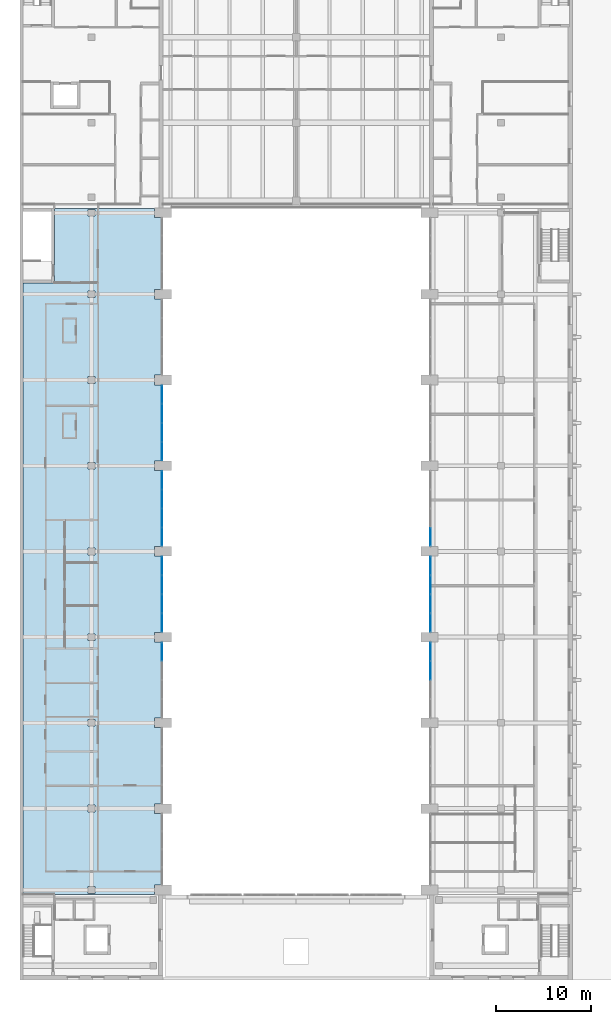
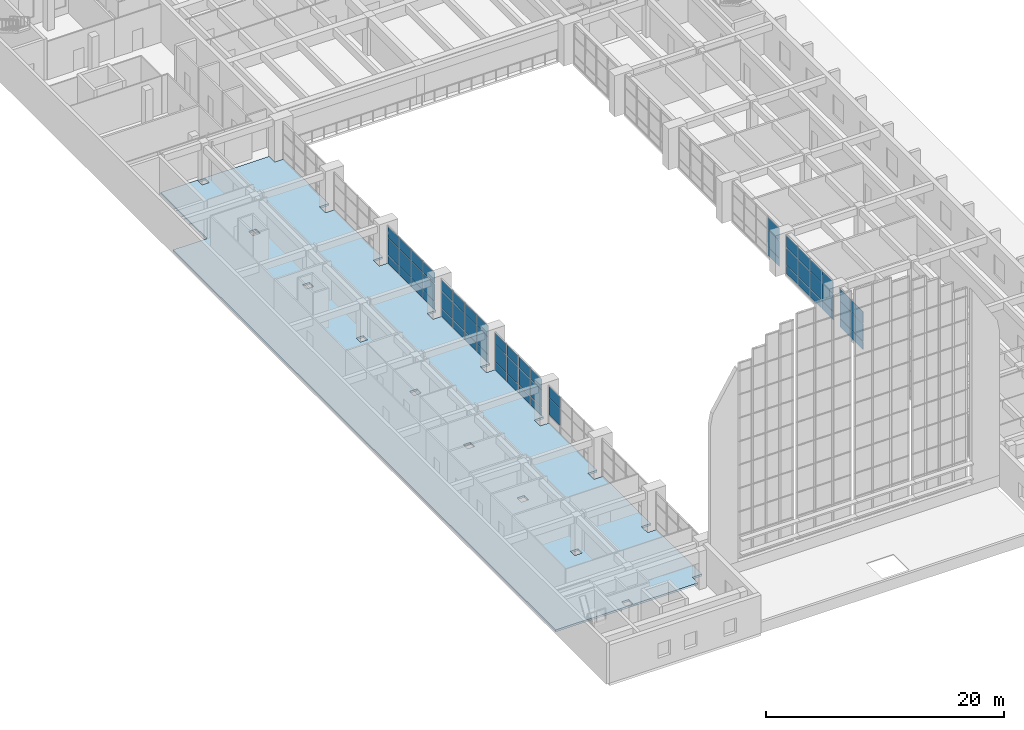
# One storey, part 21 of 45: 59 plates, 1 slab, 7 elements without a shape of their own.
"""IFC4 building model written with IfcOpenShell, lengths in metres."""

from ifc_helpers import new_model, si_unit, direction, frame, origin, origin_2d, place, context, subcontext, project, spatial, polyline, rectangle, outline, extrude, material, layer, layer_set, type_object, element, aggregate, save


model = new_model("IFC4")

# Units and contexts
model_context = context("Model", 3, precision=1e-05, world=origin(), true_north=direction((0.0, 1.0)))
body_context = subcontext(model_context, "Body", "Model", "MODEL_VIEW")
ifc_project = project(units=[si_unit("LENGTHUNIT", "METRE"), si_unit("AREAUNIT", "SQUARE_METRE"), si_unit("VOLUMEUNIT", "CUBIC_METRE"), si_unit("PLANEANGLEUNIT", "RADIAN"), si_unit("MASSUNIT", "GRAM", prefix="KILO")], contexts=[model_context])

# Site, building, storey
site_placement = place(None, origin())
site = spatial("IfcSite", under=ifc_project, at=site_placement, CompositionType="ELEMENT")
building_placement = place(site_placement, origin())
building = spatial("IfcBuilding", under=site, at=building_placement, Name="Elmora Arch Market Hall", CompositionType="ELEMENT")
storey_placement = place(building_placement, frame((0.0, 0.0, 6.0)))
storey = spatial("IfcBuildingStorey", under=building, at=storey_placement, Name="L01", CompositionType="ELEMENT", Elevation=6.0)

# Slab
ifc_material_1 = material(Name="Concrete C32/40", Category="concrete")
ifc_layer_1 = layer(ifc_material_1, 0.199951171875)
ifc_layer_set_1 = layer_set([ifc_layer_1], Name="Concrete C32/40")
slab_type = type_object("IfcSlabType", Name="Floor slab 200", PredefinedType="FLOOR", material=ifc_layer_set_1)
slab_placement = place(storey_placement, frame((0.0, 0.0, -0.199951171875)))
element("IfcSlab", 1, at=slab_placement, inside=storey, type_object=slab_type, Name="L01 floor slab WW", PredefinedType="FLOOR", context=body_context, shape_type="SweptSolid", body=[
    extrude(outline(polyline([(15.0, 27.950927734375), (14.09912109375, 27.950927734375), (14.09912109375, 27.0), (0.301025390625, 27.0), (0.301025390625, 91.198974609375), (3.60107421875, 91.198974609375), (3.60107421875, 99.0), (14.09912109375, 99.0), (14.09912109375, 98.049072265625), (15.0, 98.049072265625), (15.0, 90.5009765625), (14.09912109375, 90.5009765625), (14.09912109375, 89.4990234375), (15.0, 89.4990234375), (15.0, 81.5009765625), (14.09912109375, 81.5009765625), (14.09912109375, 80.4990234375), (15.0, 80.4990234375), (15.0, 72.5009765625), (14.09912109375, 72.5009765625), (14.09912109375, 71.4990234375), (15.0, 71.4990234375), (15.0, 63.5009765625), (14.09912109375, 63.5009765625), (14.09912109375, 62.4990234375), (15.0, 62.4990234375), (15.0, 54.5009765625), (14.09912109375, 54.5009765625), (14.09912109375, 53.4990234375), (15.0, 53.4990234375), (15.0, 45.5009765625), (14.09912109375, 45.5009765625), (14.09912109375, 44.4990234375), (15.0, 44.4990234375), (15.0, 36.5009765625), (14.09912109375, 36.5009765625), (14.09912109375, 35.4990234375), (15.0, 35.4990234375), (15.0, 27.950927734375)]), holes=[polyline([(7.14892578125, 98.90087890625), (7.14892578125, 98.198974609375), (7.85107421875, 98.198974609375), (7.85107421875, 98.90087890625), (7.14892578125, 98.90087890625)]), polyline([(7.14892578125, 90.35107421875), (7.14892578125, 89.64892578125), (7.85107421875, 89.64892578125), (7.85107421875, 90.35107421875), (7.14892578125, 90.35107421875)]), polyline([(7.14892578125, 81.35107421875), (7.14892578125, 80.64892578125), (7.85107421875, 80.64892578125), (7.85107421875, 81.35107421875), (7.14892578125, 81.35107421875)]), polyline([(7.85107421875, 72.35107421875), (7.14892578125, 72.35107421875), (7.14892578125, 71.64892578125), (7.85107421875, 71.64892578125), (7.85107421875, 72.35107421875)]), polyline([(7.14892578125, 63.35107421875), (7.14892578125, 62.64892578125), (7.85107421875, 62.64892578125), (7.85107421875, 63.35107421875), (7.14892578125, 63.35107421875)]), polyline([(7.14892578125, 54.35107421875), (7.14892578125, 53.64892578125), (7.85107421875, 53.64892578125), (7.85107421875, 54.35107421875), (7.14892578125, 54.35107421875)]), polyline([(7.14892578125, 45.35107421875), (7.14892578125, 44.64892578125), (7.85107421875, 44.64892578125), (7.85107421875, 45.35107421875), (7.14892578125, 45.35107421875)]), polyline([(7.14892578125, 36.35107421875), (7.14892578125, 35.64892578125), (7.85107421875, 35.64892578125), (7.85107421875, 36.35107421875), (7.14892578125, 36.35107421875)]), polyline([(7.14892578125, 27.801025390625), (7.14892578125, 27.09912109375), (7.85107421875, 27.09912109375), (7.85107421875, 27.801025390625), (7.14892578125, 27.801025390625)])]), origin(), (0.0, 0.0, 1.0), 0.199951171875),
])

# Curtain wall, plates
ifc_material_2 = material(Name="Aluminium", Category="aluminium")
curtain_wall_type = type_object("IfcCurtainWallType", Name="Hall front curtain wall", PredefinedType="NOTDEFINED", material=ifc_material_2)
curtain_wall_1_placement = place(storey_placement, origin())
curtain_wall_1 = element("IfcCurtainWall", 2, at=curtain_wall_1_placement, inside=storey, type_object=curtain_wall_type, Name="Wing front W L01 3", PredefinedType="NOTDEFINED")
ifc_material_3 = material(Name="Glass", Category="glass")
ifc_layer_2 = layer(ifc_material_3, 0.028076171875)
ifc_layer_set_2 = layer_set([ifc_layer_2], Name="Glass")
plate_type = type_object("IfcPlateType", Name="Glass panel 28", PredefinedType="CURTAIN_PANEL", material=ifc_layer_set_2)
plate_1_placement = place(storey_placement, frame((14.89990234375, 52.47998046875, 0.93017578125), z_axis=(0.0, 0.0, 1.0), x_axis=(0.0, 1.0, 0.0)))
plate_1 = element("IfcPlate", 3, at=plate_1_placement, type_object=plate_type, Name="CW2 panel 4.2", PredefinedType="CURTAIN_PANEL", context=body_context, shape_type="SweptSolid", body=[
    extrude(rectangle(XDim=1.8798828125, YDim=0.028076171875, at=origin_2d()), origin(), (0.0, 0.0, 1.0), 1.739990234375),
])
plate_2_placement = place(storey_placement, frame((14.89990234375, 52.47998046875, 2.72998046875), z_axis=(0.0, 0.0, 1.0), x_axis=(0.0, 1.0, 0.0)))
plate_2 = element("IfcPlate", 4, at=plate_2_placement, type_object=plate_type, Name="CW2 panel 4.3", PredefinedType="CURTAIN_PANEL", context=body_context, shape_type="SweptSolid", body=[
    extrude(rectangle(XDim=1.8798828125, YDim=0.028076171875, at=origin_2d()), origin(), (0.0, 0.0, 1.0), 1.110107421875),
])
aggregate(curtain_wall_1, [plate_1, plate_2])

curtain_wall_2_placement = place(storey_placement, origin())
curtain_wall_2 = element("IfcCurtainWall", 5, at=curtain_wall_2_placement, inside=storey, type_object=curtain_wall_type, Name="Wing front W L01 4", PredefinedType="NOTDEFINED")
plate_3_placement = place(storey_placement, frame((14.89990234375, 55.52001953125, 0.06005859375), z_axis=(0.0, 0.0, 1.0), x_axis=(0.0, 1.0, 0.0)))
plate_3 = element("IfcPlate", 6, at=plate_3_placement, type_object=plate_type, Name="CW2 panel 1.1", PredefinedType="CURTAIN_PANEL", context=body_context, shape_type="SweptSolid", body=[
    extrude(rectangle(XDim=1.8798828125, YDim=0.028076171875, at=origin_2d()), origin(), (0.0, 0.0, 1.0), 0.81005859375),
])
plate_4_placement = place(storey_placement, frame((14.89990234375, 55.52001953125, 0.93017578125), z_axis=(0.0, 0.0, 1.0), x_axis=(0.0, 1.0, 0.0)))
plate_4 = element("IfcPlate", 7, at=plate_4_placement, type_object=plate_type, Name="CW2 panel 1.2", PredefinedType="CURTAIN_PANEL", context=body_context, shape_type="SweptSolid", body=[
    extrude(rectangle(XDim=1.8798828125, YDim=0.028076171875, at=origin_2d()), origin(), (0.0, 0.0, 1.0), 1.739990234375),
])
plate_5_placement = place(storey_placement, frame((14.89990234375, 55.52001953125, 2.72998046875), z_axis=(0.0, 0.0, 1.0), x_axis=(0.0, 1.0, 0.0)))
plate_5 = element("IfcPlate", 8, at=plate_5_placement, type_object=plate_type, Name="CW2 panel 1.3", PredefinedType="CURTAIN_PANEL", context=body_context, shape_type="SweptSolid", body=[
    extrude(rectangle(XDim=1.8798828125, YDim=0.028076171875, at=origin_2d()), origin(), (0.0, 0.0, 1.0), 1.110107421875),
])
plate_6_placement = place(storey_placement, frame((14.89990234375, 57.5, 0.06005859375), z_axis=(0.0, 0.0, 1.0), x_axis=(0.0, 1.0, 0.0)))
plate_6 = element("IfcPlate", 9, at=plate_6_placement, type_object=plate_type, Name="CW2 panel 2.1", PredefinedType="CURTAIN_PANEL", context=body_context, shape_type="SweptSolid", body=[
    extrude(rectangle(XDim=1.919921875, YDim=0.028076171875, at=origin_2d()), origin(), (0.0, 0.0, 1.0), 0.81005859375),
])
plate_7_placement = place(storey_placement, frame((14.89990234375, 57.5, 0.93017578125), z_axis=(0.0, 0.0, 1.0), x_axis=(0.0, 1.0, 0.0)))
plate_7 = element("IfcPlate", 10, at=plate_7_placement, type_object=plate_type, Name="CW2 panel 2.2", PredefinedType="CURTAIN_PANEL", context=body_context, shape_type="SweptSolid", body=[
    extrude(rectangle(XDim=1.919921875, YDim=0.028076171875, at=origin_2d()), origin(), (0.0, 0.0, 1.0), 1.739990234375),
])
plate_8_placement = place(storey_placement, frame((14.89990234375, 57.5, 2.72998046875), z_axis=(0.0, 0.0, 1.0), x_axis=(0.0, 1.0, 0.0)))
plate_8 = element("IfcPlate", 11, at=plate_8_placement, type_object=plate_type, Name="CW2 panel 2.3", PredefinedType="CURTAIN_PANEL", context=body_context, shape_type="SweptSolid", body=[
    extrude(rectangle(XDim=1.919921875, YDim=0.028076171875, at=origin_2d()), origin(), (0.0, 0.0, 1.0), 1.110107421875),
])
plate_9_placement = place(storey_placement, frame((14.89990234375, 59.5, 0.06005859375), z_axis=(0.0, 0.0, 1.0), x_axis=(0.0, 1.0, 0.0)))
plate_9 = element("IfcPlate", 12, at=plate_9_placement, type_object=plate_type, Name="CW2 panel 3.1", PredefinedType="CURTAIN_PANEL", context=body_context, shape_type="SweptSolid", body=[
    extrude(rectangle(XDim=1.919921875, YDim=0.028076171875, at=origin_2d()), origin(), (0.0, 0.0, 1.0), 0.81005859375),
])
plate_10_placement = place(storey_placement, frame((14.89990234375, 59.5, 0.93017578125), z_axis=(0.0, 0.0, 1.0), x_axis=(0.0, 1.0, 0.0)))
plate_10 = element("IfcPlate", 13, at=plate_10_placement, type_object=plate_type, Name="CW2 panel 3.2", PredefinedType="CURTAIN_PANEL", context=body_context, shape_type="SweptSolid", body=[
    extrude(rectangle(XDim=1.919921875, YDim=0.028076171875, at=origin_2d()), origin(), (0.0, 0.0, 1.0), 1.739990234375),
])
plate_11_placement = place(storey_placement, frame((14.89990234375, 59.5, 2.72998046875), z_axis=(0.0, 0.0, 1.0), x_axis=(0.0, 1.0, 0.0)))
plate_11 = element("IfcPlate", 14, at=plate_11_placement, type_object=plate_type, Name="CW2 panel 3.3", PredefinedType="CURTAIN_PANEL", context=body_context, shape_type="SweptSolid", body=[
    extrude(rectangle(XDim=1.919921875, YDim=0.028076171875, at=origin_2d()), origin(), (0.0, 0.0, 1.0), 1.110107421875),
])
plate_12_placement = place(storey_placement, frame((14.89990234375, 61.47998046875, 0.06005859375), z_axis=(0.0, 0.0, 1.0), x_axis=(0.0, 1.0, 0.0)))
plate_12 = element("IfcPlate", 15, at=plate_12_placement, type_object=plate_type, Name="CW2 panel 4.1", PredefinedType="CURTAIN_PANEL", context=body_context, shape_type="SweptSolid", body=[
    extrude(rectangle(XDim=1.8798828125, YDim=0.028076171875, at=origin_2d()), origin(), (0.0, 0.0, 1.0), 0.81005859375),
])
plate_13_placement = place(storey_placement, frame((14.89990234375, 61.47998046875, 0.93017578125), z_axis=(0.0, 0.0, 1.0), x_axis=(0.0, 1.0, 0.0)))
plate_13 = element("IfcPlate", 16, at=plate_13_placement, type_object=plate_type, Name="CW2 panel 4.2", PredefinedType="CURTAIN_PANEL", context=body_context, shape_type="SweptSolid", body=[
    extrude(rectangle(XDim=1.8798828125, YDim=0.028076171875, at=origin_2d()), origin(), (0.0, 0.0, 1.0), 1.739990234375),
])
plate_14_placement = place(storey_placement, frame((14.89990234375, 61.47998046875, 2.72998046875), z_axis=(0.0, 0.0, 1.0), x_axis=(0.0, 1.0, 0.0)))
plate_14 = element("IfcPlate", 17, at=plate_14_placement, type_object=plate_type, Name="CW2 panel 4.3", PredefinedType="CURTAIN_PANEL", context=body_context, shape_type="SweptSolid", body=[
    extrude(rectangle(XDim=1.8798828125, YDim=0.028076171875, at=origin_2d()), origin(), (0.0, 0.0, 1.0), 1.110107421875),
])
aggregate(curtain_wall_2, [plate_3, plate_4, plate_5, plate_6, plate_7, plate_8, plate_9, plate_10, plate_11, plate_12, plate_13, plate_14])

curtain_wall_3_placement = place(storey_placement, origin())
curtain_wall_3 = element("IfcCurtainWall", 18, at=curtain_wall_3_placement, inside=storey, type_object=curtain_wall_type, Name="Wing front W L01 5", PredefinedType="NOTDEFINED")
plate_15_placement = place(storey_placement, frame((14.89990234375, 64.52001953125, 0.06005859375), z_axis=(0.0, 0.0, 1.0), x_axis=(0.0, 1.0, 0.0)))
plate_15 = element("IfcPlate", 19, at=plate_15_placement, type_object=plate_type, Name="CW2 panel 1.1", PredefinedType="CURTAIN_PANEL", context=body_context, shape_type="SweptSolid", body=[
    extrude(rectangle(XDim=1.8798828125, YDim=0.028076171875, at=origin_2d()), origin(), (0.0, 0.0, 1.0), 0.81005859375),
])
plate_16_placement = place(storey_placement, frame((14.89990234375, 64.52001953125, 0.93017578125), z_axis=(0.0, 0.0, 1.0), x_axis=(0.0, 1.0, 0.0)))
plate_16 = element("IfcPlate", 20, at=plate_16_placement, type_object=plate_type, Name="CW2 panel 1.2", PredefinedType="CURTAIN_PANEL", context=body_context, shape_type="SweptSolid", body=[
    extrude(rectangle(XDim=1.8798828125, YDim=0.028076171875, at=origin_2d()), origin(), (0.0, 0.0, 1.0), 1.739990234375),
])
plate_17_placement = place(storey_placement, frame((14.89990234375, 64.52001953125, 2.72998046875), z_axis=(0.0, 0.0, 1.0), x_axis=(0.0, 1.0, 0.0)))
plate_17 = element("IfcPlate", 21, at=plate_17_placement, type_object=plate_type, Name="CW2 panel 1.3", PredefinedType="CURTAIN_PANEL", context=body_context, shape_type="SweptSolid", body=[
    extrude(rectangle(XDim=1.8798828125, YDim=0.028076171875, at=origin_2d()), origin(), (0.0, 0.0, 1.0), 1.110107421875),
])
plate_18_placement = place(storey_placement, frame((14.89990234375, 66.5, 0.06005859375), z_axis=(0.0, 0.0, 1.0), x_axis=(0.0, 1.0, 0.0)))
plate_18 = element("IfcPlate", 22, at=plate_18_placement, type_object=plate_type, Name="CW2 panel 2.1", PredefinedType="CURTAIN_PANEL", context=body_context, shape_type="SweptSolid", body=[
    extrude(rectangle(XDim=1.919921875, YDim=0.028076171875, at=origin_2d()), origin(), (0.0, 0.0, 1.0), 0.81005859375),
])
plate_19_placement = place(storey_placement, frame((14.89990234375, 66.5, 0.93017578125), z_axis=(0.0, 0.0, 1.0), x_axis=(0.0, 1.0, 0.0)))
plate_19 = element("IfcPlate", 23, at=plate_19_placement, type_object=plate_type, Name="CW2 panel 2.2", PredefinedType="CURTAIN_PANEL", context=body_context, shape_type="SweptSolid", body=[
    extrude(rectangle(XDim=1.919921875, YDim=0.028076171875, at=origin_2d()), origin(), (0.0, 0.0, 1.0), 1.739990234375),
])
plate_20_placement = place(storey_placement, frame((14.89990234375, 66.5, 2.72998046875), z_axis=(0.0, 0.0, 1.0), x_axis=(0.0, 1.0, 0.0)))
plate_20 = element("IfcPlate", 24, at=plate_20_placement, type_object=plate_type, Name="CW2 panel 2.3", PredefinedType="CURTAIN_PANEL", context=body_context, shape_type="SweptSolid", body=[
    extrude(rectangle(XDim=1.919921875, YDim=0.028076171875, at=origin_2d()), origin(), (0.0, 0.0, 1.0), 1.110107421875),
])
plate_21_placement = place(storey_placement, frame((14.89990234375, 68.5, 0.06005859375), z_axis=(0.0, 0.0, 1.0), x_axis=(0.0, 1.0, 0.0)))
plate_21 = element("IfcPlate", 25, at=plate_21_placement, type_object=plate_type, Name="CW2 panel 3.1", PredefinedType="CURTAIN_PANEL", context=body_context, shape_type="SweptSolid", body=[
    extrude(rectangle(XDim=1.919921875, YDim=0.028076171875, at=origin_2d()), origin(), (0.0, 0.0, 1.0), 0.81005859375),
])
plate_22_placement = place(storey_placement, frame((14.89990234375, 68.5, 0.93017578125), z_axis=(0.0, 0.0, 1.0), x_axis=(0.0, 1.0, 0.0)))
plate_22 = element("IfcPlate", 26, at=plate_22_placement, type_object=plate_type, Name="CW2 panel 3.2", PredefinedType="CURTAIN_PANEL", context=body_context, shape_type="SweptSolid", body=[
    extrude(rectangle(XDim=1.919921875, YDim=0.028076171875, at=origin_2d()), origin(), (0.0, 0.0, 1.0), 1.739990234375),
])
plate_23_placement = place(storey_placement, frame((14.89990234375, 68.5, 2.72998046875), z_axis=(0.0, 0.0, 1.0), x_axis=(0.0, 1.0, 0.0)))
plate_23 = element("IfcPlate", 27, at=plate_23_placement, type_object=plate_type, Name="CW2 panel 3.3", PredefinedType="CURTAIN_PANEL", context=body_context, shape_type="SweptSolid", body=[
    extrude(rectangle(XDim=1.919921875, YDim=0.028076171875, at=origin_2d()), origin(), (0.0, 0.0, 1.0), 1.110107421875),
])
plate_24_placement = place(storey_placement, frame((14.89990234375, 70.47998046875, 0.06005859375), z_axis=(0.0, 0.0, 1.0), x_axis=(0.0, 1.0, 0.0)))
plate_24 = element("IfcPlate", 28, at=plate_24_placement, type_object=plate_type, Name="CW2 panel 4.1", PredefinedType="CURTAIN_PANEL", context=body_context, shape_type="SweptSolid", body=[
    extrude(rectangle(XDim=1.8798828125, YDim=0.028076171875, at=origin_2d()), origin(), (0.0, 0.0, 1.0), 0.81005859375),
])
plate_25_placement = place(storey_placement, frame((14.89990234375, 70.47998046875, 0.93017578125), z_axis=(0.0, 0.0, 1.0), x_axis=(0.0, 1.0, 0.0)))
plate_25 = element("IfcPlate", 29, at=plate_25_placement, type_object=plate_type, Name="CW2 panel 4.2", PredefinedType="CURTAIN_PANEL", context=body_context, shape_type="SweptSolid", body=[
    extrude(rectangle(XDim=1.8798828125, YDim=0.028076171875, at=origin_2d()), origin(), (0.0, 0.0, 1.0), 1.739990234375),
])
plate_26_placement = place(storey_placement, frame((14.89990234375, 70.47998046875, 2.72998046875), z_axis=(0.0, 0.0, 1.0), x_axis=(0.0, 1.0, 0.0)))
plate_26 = element("IfcPlate", 30, at=plate_26_placement, type_object=plate_type, Name="CW2 panel 4.3", PredefinedType="CURTAIN_PANEL", context=body_context, shape_type="SweptSolid", body=[
    extrude(rectangle(XDim=1.8798828125, YDim=0.028076171875, at=origin_2d()), origin(), (0.0, 0.0, 1.0), 1.110107421875),
])
aggregate(curtain_wall_3, [plate_15, plate_16, plate_17, plate_18, plate_19, plate_20, plate_21, plate_22, plate_23, plate_24, plate_25, plate_26])

curtain_wall_4_placement = place(storey_placement, origin())
curtain_wall_4 = element("IfcCurtainWall", 31, at=curtain_wall_4_placement, inside=storey, type_object=curtain_wall_type, Name="Wing front W L01 6", PredefinedType="NOTDEFINED")
plate_27_placement = place(storey_placement, frame((14.89990234375, 73.52001953125, 0.06005859375), z_axis=(0.0, 0.0, 1.0), x_axis=(0.0, 1.0, 0.0)))
plate_27 = element("IfcPlate", 32, at=plate_27_placement, type_object=plate_type, Name="CW2 panel 1.1", PredefinedType="CURTAIN_PANEL", context=body_context, shape_type="SweptSolid", body=[
    extrude(rectangle(XDim=1.8798828125, YDim=0.028076171875, at=origin_2d()), origin(), (0.0, 0.0, 1.0), 0.81005859375),
])
plate_28_placement = place(storey_placement, frame((14.89990234375, 73.52001953125, 0.93017578125), z_axis=(0.0, 0.0, 1.0), x_axis=(0.0, 1.0, 0.0)))
plate_28 = element("IfcPlate", 33, at=plate_28_placement, type_object=plate_type, Name="CW2 panel 1.2", PredefinedType="CURTAIN_PANEL", context=body_context, shape_type="SweptSolid", body=[
    extrude(rectangle(XDim=1.8798828125, YDim=0.028076171875, at=origin_2d()), origin(), (0.0, 0.0, 1.0), 1.739990234375),
])
plate_29_placement = place(storey_placement, frame((14.89990234375, 73.52001953125, 2.72998046875), z_axis=(0.0, 0.0, 1.0), x_axis=(0.0, 1.0, 0.0)))
plate_29 = element("IfcPlate", 34, at=plate_29_placement, type_object=plate_type, Name="CW2 panel 1.3", PredefinedType="CURTAIN_PANEL", context=body_context, shape_type="SweptSolid", body=[
    extrude(rectangle(XDim=1.8798828125, YDim=0.028076171875, at=origin_2d()), origin(), (0.0, 0.0, 1.0), 1.110107421875),
])
plate_30_placement = place(storey_placement, frame((14.89990234375, 75.5, 0.06005859375), z_axis=(0.0, 0.0, 1.0), x_axis=(0.0, 1.0, 0.0)))
plate_30 = element("IfcPlate", 35, at=plate_30_placement, type_object=plate_type, Name="CW2 panel 2.1", PredefinedType="CURTAIN_PANEL", context=body_context, shape_type="SweptSolid", body=[
    extrude(rectangle(XDim=1.919921875, YDim=0.028076171875, at=origin_2d()), origin(), (0.0, 0.0, 1.0), 0.81005859375),
])
plate_31_placement = place(storey_placement, frame((14.89990234375, 75.5, 0.93017578125), z_axis=(0.0, 0.0, 1.0), x_axis=(0.0, 1.0, 0.0)))
plate_31 = element("IfcPlate", 36, at=plate_31_placement, type_object=plate_type, Name="CW2 panel 2.2", PredefinedType="CURTAIN_PANEL", context=body_context, shape_type="SweptSolid", body=[
    extrude(rectangle(XDim=1.919921875, YDim=0.028076171875, at=origin_2d()), origin(), (0.0, 0.0, 1.0), 1.739990234375),
])
plate_32_placement = place(storey_placement, frame((14.89990234375, 75.5, 2.72998046875), z_axis=(0.0, 0.0, 1.0), x_axis=(0.0, 1.0, 0.0)))
plate_32 = element("IfcPlate", 37, at=plate_32_placement, type_object=plate_type, Name="CW2 panel 2.3", PredefinedType="CURTAIN_PANEL", context=body_context, shape_type="SweptSolid", body=[
    extrude(rectangle(XDim=1.919921875, YDim=0.028076171875, at=origin_2d()), origin(), (0.0, 0.0, 1.0), 1.110107421875),
])
plate_33_placement = place(storey_placement, frame((14.89990234375, 77.5, 0.06005859375), z_axis=(0.0, 0.0, 1.0), x_axis=(0.0, 1.0, 0.0)))
plate_33 = element("IfcPlate", 38, at=plate_33_placement, type_object=plate_type, Name="CW2 panel 3.1", PredefinedType="CURTAIN_PANEL", context=body_context, shape_type="SweptSolid", body=[
    extrude(rectangle(XDim=1.919921875, YDim=0.028076171875, at=origin_2d()), origin(), (0.0, 0.0, 1.0), 0.81005859375),
])
plate_34_placement = place(storey_placement, frame((14.89990234375, 77.5, 0.93017578125), z_axis=(0.0, 0.0, 1.0), x_axis=(0.0, 1.0, 0.0)))
plate_34 = element("IfcPlate", 39, at=plate_34_placement, type_object=plate_type, Name="CW2 panel 3.2", PredefinedType="CURTAIN_PANEL", context=body_context, shape_type="SweptSolid", body=[
    extrude(rectangle(XDim=1.919921875, YDim=0.028076171875, at=origin_2d()), origin(), (0.0, 0.0, 1.0), 1.739990234375),
])
plate_35_placement = place(storey_placement, frame((14.89990234375, 77.5, 2.72998046875), z_axis=(0.0, 0.0, 1.0), x_axis=(0.0, 1.0, 0.0)))
plate_35 = element("IfcPlate", 40, at=plate_35_placement, type_object=plate_type, Name="CW2 panel 3.3", PredefinedType="CURTAIN_PANEL", context=body_context, shape_type="SweptSolid", body=[
    extrude(rectangle(XDim=1.919921875, YDim=0.028076171875, at=origin_2d()), origin(), (0.0, 0.0, 1.0), 1.110107421875),
])
plate_36_placement = place(storey_placement, frame((14.89990234375, 79.47998046875, 0.06005859375), z_axis=(0.0, 0.0, 1.0), x_axis=(0.0, 1.0, 0.0)))
plate_36 = element("IfcPlate", 41, at=plate_36_placement, type_object=plate_type, Name="CW2 panel 4.1", PredefinedType="CURTAIN_PANEL", context=body_context, shape_type="SweptSolid", body=[
    extrude(rectangle(XDim=1.8798828125, YDim=0.028076171875, at=origin_2d()), origin(), (0.0, 0.0, 1.0), 0.81005859375),
])
plate_37_placement = place(storey_placement, frame((14.89990234375, 79.47998046875, 0.93017578125), z_axis=(0.0, 0.0, 1.0), x_axis=(0.0, 1.0, 0.0)))
plate_37 = element("IfcPlate", 42, at=plate_37_placement, type_object=plate_type, Name="CW2 panel 4.2", PredefinedType="CURTAIN_PANEL", context=body_context, shape_type="SweptSolid", body=[
    extrude(rectangle(XDim=1.8798828125, YDim=0.028076171875, at=origin_2d()), origin(), (0.0, 0.0, 1.0), 1.739990234375),
])
plate_38_placement = place(storey_placement, frame((14.89990234375, 79.47998046875, 2.72998046875), z_axis=(0.0, 0.0, 1.0), x_axis=(0.0, 1.0, 0.0)))
plate_38 = element("IfcPlate", 43, at=plate_38_placement, type_object=plate_type, Name="CW2 panel 4.3", PredefinedType="CURTAIN_PANEL", context=body_context, shape_type="SweptSolid", body=[
    extrude(rectangle(XDim=1.8798828125, YDim=0.028076171875, at=origin_2d()), origin(), (0.0, 0.0, 1.0), 1.110107421875),
])
aggregate(curtain_wall_4, [plate_27, plate_28, plate_29, plate_30, plate_31, plate_32, plate_33, plate_34, plate_35, plate_36, plate_37, plate_38])

curtain_wall_5_placement = place(storey_placement, origin())
curtain_wall_5 = element("IfcCurtainWall", 44, at=curtain_wall_5_placement, inside=storey, type_object=curtain_wall_type, Name="Wing front E L01 3", PredefinedType="NOTDEFINED")
plate_39_placement = place(storey_placement, frame((43.10009765625, 50.5, 0.06005859375), z_axis=(0.0, 0.0, 1.0), x_axis=(0.0, 1.0, 0.0)))
plate_39 = element("IfcPlate", 45, at=plate_39_placement, type_object=plate_type, Name="CW2 panel 3.1", PredefinedType="CURTAIN_PANEL", context=body_context, shape_type="SweptSolid", body=[
    extrude(rectangle(XDim=1.919921875, YDim=0.028076171875, at=origin_2d()), origin(), (0.0, 0.0, 1.0), 0.81005859375),
])
plate_40_placement = place(storey_placement, frame((43.10009765625, 50.5, 0.93017578125), z_axis=(0.0, 0.0, 1.0), x_axis=(0.0, 1.0, 0.0)))
plate_40 = element("IfcPlate", 46, at=plate_40_placement, type_object=plate_type, Name="CW2 panel 3.2", PredefinedType="CURTAIN_PANEL", context=body_context, shape_type="SweptSolid", body=[
    extrude(rectangle(XDim=1.919921875, YDim=0.028076171875, at=origin_2d()), origin(), (0.0, 0.0, 1.0), 1.739990234375),
])
plate_41_placement = place(storey_placement, frame((43.10009765625, 50.5, 2.72998046875), z_axis=(0.0, 0.0, 1.0), x_axis=(0.0, 1.0, 0.0)))
plate_41 = element("IfcPlate", 47, at=plate_41_placement, type_object=plate_type, Name="CW2 panel 3.3", PredefinedType="CURTAIN_PANEL", context=body_context, shape_type="SweptSolid", body=[
    extrude(rectangle(XDim=1.919921875, YDim=0.028076171875, at=origin_2d()), origin(), (0.0, 0.0, 1.0), 1.2099609375),
])
plate_42_placement = place(storey_placement, frame((43.10009765625, 52.47998046875, 0.06005859375), z_axis=(0.0, 0.0, 1.0), x_axis=(0.0, 1.0, 0.0)))
plate_42 = element("IfcPlate", 48, at=plate_42_placement, type_object=plate_type, Name="CW2 panel 4.1", PredefinedType="CURTAIN_PANEL", context=body_context, shape_type="SweptSolid", body=[
    extrude(rectangle(XDim=1.8798828125, YDim=0.028076171875, at=origin_2d()), origin(), (0.0, 0.0, 1.0), 0.81005859375),
])
plate_43_placement = place(storey_placement, frame((43.10009765625, 52.47998046875, 0.93017578125), z_axis=(0.0, 0.0, 1.0), x_axis=(0.0, 1.0, 0.0)))
plate_43 = element("IfcPlate", 49, at=plate_43_placement, type_object=plate_type, Name="CW2 panel 4.2", PredefinedType="CURTAIN_PANEL", context=body_context, shape_type="SweptSolid", body=[
    extrude(rectangle(XDim=1.8798828125, YDim=0.028076171875, at=origin_2d()), origin(), (0.0, 0.0, 1.0), 1.739990234375),
])
plate_44_placement = place(storey_placement, frame((43.10009765625, 52.47998046875, 2.72998046875), z_axis=(0.0, 0.0, 1.0), x_axis=(0.0, 1.0, 0.0)))
plate_44 = element("IfcPlate", 50, at=plate_44_placement, type_object=plate_type, Name="CW2 panel 4.3", PredefinedType="CURTAIN_PANEL", context=body_context, shape_type="SweptSolid", body=[
    extrude(rectangle(XDim=1.8798828125, YDim=0.028076171875, at=origin_2d()), origin(), (0.0, 0.0, 1.0), 1.2099609375),
])
aggregate(curtain_wall_5, [plate_39, plate_40, plate_41, plate_42, plate_43, plate_44])

curtain_wall_6_placement = place(storey_placement, origin())
curtain_wall_6 = element("IfcCurtainWall", 51, at=curtain_wall_6_placement, inside=storey, type_object=curtain_wall_type, Name="Wing front E L01 4", PredefinedType="NOTDEFINED")
plate_45_placement = place(storey_placement, frame((43.10009765625, 55.52001953125, 0.06005859375), z_axis=(0.0, 0.0, 1.0), x_axis=(0.0, 1.0, 0.0)))
plate_45 = element("IfcPlate", 52, at=plate_45_placement, type_object=plate_type, Name="CW2 panel 1.1", PredefinedType="CURTAIN_PANEL", context=body_context, shape_type="SweptSolid", body=[
    extrude(rectangle(XDim=1.8798828125, YDim=0.028076171875, at=origin_2d()), origin(), (0.0, 0.0, 1.0), 0.81005859375),
])
plate_46_placement = place(storey_placement, frame((43.10009765625, 55.52001953125, 0.93017578125), z_axis=(0.0, 0.0, 1.0), x_axis=(0.0, 1.0, 0.0)))
plate_46 = element("IfcPlate", 53, at=plate_46_placement, type_object=plate_type, Name="CW2 panel 1.2", PredefinedType="CURTAIN_PANEL", context=body_context, shape_type="SweptSolid", body=[
    extrude(rectangle(XDim=1.8798828125, YDim=0.028076171875, at=origin_2d()), origin(), (0.0, 0.0, 1.0), 1.739990234375),
])
plate_47_placement = place(storey_placement, frame((43.10009765625, 55.52001953125, 2.72998046875), z_axis=(0.0, 0.0, 1.0), x_axis=(0.0, 1.0, 0.0)))
plate_47 = element("IfcPlate", 54, at=plate_47_placement, type_object=plate_type, Name="CW2 panel 1.3", PredefinedType="CURTAIN_PANEL", context=body_context, shape_type="SweptSolid", body=[
    extrude(rectangle(XDim=1.8798828125, YDim=0.028076171875, at=origin_2d()), origin(), (0.0, 0.0, 1.0), 1.2099609375),
])
plate_48_placement = place(storey_placement, frame((43.10009765625, 57.5, 0.06005859375), z_axis=(0.0, 0.0, 1.0), x_axis=(0.0, 1.0, 0.0)))
plate_48 = element("IfcPlate", 55, at=plate_48_placement, type_object=plate_type, Name="CW2 panel 2.1", PredefinedType="CURTAIN_PANEL", context=body_context, shape_type="SweptSolid", body=[
    extrude(rectangle(XDim=1.919921875, YDim=0.028076171875, at=origin_2d()), origin(), (0.0, 0.0, 1.0), 0.81005859375),
])
plate_49_placement = place(storey_placement, frame((43.10009765625, 57.5, 0.93017578125), z_axis=(0.0, 0.0, 1.0), x_axis=(0.0, 1.0, 0.0)))
plate_49 = element("IfcPlate", 56, at=plate_49_placement, type_object=plate_type, Name="CW2 panel 2.2", PredefinedType="CURTAIN_PANEL", context=body_context, shape_type="SweptSolid", body=[
    extrude(rectangle(XDim=1.919921875, YDim=0.028076171875, at=origin_2d()), origin(), (0.0, 0.0, 1.0), 1.739990234375),
])
plate_50_placement = place(storey_placement, frame((43.10009765625, 57.5, 2.72998046875), z_axis=(0.0, 0.0, 1.0), x_axis=(0.0, 1.0, 0.0)))
plate_50 = element("IfcPlate", 57, at=plate_50_placement, type_object=plate_type, Name="CW2 panel 2.3", PredefinedType="CURTAIN_PANEL", context=body_context, shape_type="SweptSolid", body=[
    extrude(rectangle(XDim=1.919921875, YDim=0.028076171875, at=origin_2d()), origin(), (0.0, 0.0, 1.0), 1.2099609375),
])
plate_51_placement = place(storey_placement, frame((43.10009765625, 59.5, 0.06005859375), z_axis=(0.0, 0.0, 1.0), x_axis=(0.0, 1.0, 0.0)))
plate_51 = element("IfcPlate", 58, at=plate_51_placement, type_object=plate_type, Name="CW2 panel 3.1", PredefinedType="CURTAIN_PANEL", context=body_context, shape_type="SweptSolid", body=[
    extrude(rectangle(XDim=1.919921875, YDim=0.028076171875, at=origin_2d()), origin(), (0.0, 0.0, 1.0), 0.81005859375),
])
plate_52_placement = place(storey_placement, frame((43.10009765625, 59.5, 0.93017578125), z_axis=(0.0, 0.0, 1.0), x_axis=(0.0, 1.0, 0.0)))
plate_52 = element("IfcPlate", 59, at=plate_52_placement, type_object=plate_type, Name="CW2 panel 3.2", PredefinedType="CURTAIN_PANEL", context=body_context, shape_type="SweptSolid", body=[
    extrude(rectangle(XDim=1.919921875, YDim=0.028076171875, at=origin_2d()), origin(), (0.0, 0.0, 1.0), 1.739990234375),
])
plate_53_placement = place(storey_placement, frame((43.10009765625, 59.5, 2.72998046875), z_axis=(0.0, 0.0, 1.0), x_axis=(0.0, 1.0, 0.0)))
plate_53 = element("IfcPlate", 60, at=plate_53_placement, type_object=plate_type, Name="CW2 panel 3.3", PredefinedType="CURTAIN_PANEL", context=body_context, shape_type="SweptSolid", body=[
    extrude(rectangle(XDim=1.919921875, YDim=0.028076171875, at=origin_2d()), origin(), (0.0, 0.0, 1.0), 1.2099609375),
])
plate_54_placement = place(storey_placement, frame((43.10009765625, 61.47998046875, 0.06005859375), z_axis=(0.0, 0.0, 1.0), x_axis=(0.0, 1.0, 0.0)))
plate_54 = element("IfcPlate", 61, at=plate_54_placement, type_object=plate_type, Name="CW2 panel 4.1", PredefinedType="CURTAIN_PANEL", context=body_context, shape_type="SweptSolid", body=[
    extrude(rectangle(XDim=1.8798828125, YDim=0.028076171875, at=origin_2d()), origin(), (0.0, 0.0, 1.0), 0.81005859375),
])
plate_55_placement = place(storey_placement, frame((43.10009765625, 61.47998046875, 0.93017578125), z_axis=(0.0, 0.0, 1.0), x_axis=(0.0, 1.0, 0.0)))
plate_55 = element("IfcPlate", 62, at=plate_55_placement, type_object=plate_type, Name="CW2 panel 4.2", PredefinedType="CURTAIN_PANEL", context=body_context, shape_type="SweptSolid", body=[
    extrude(rectangle(XDim=1.8798828125, YDim=0.028076171875, at=origin_2d()), origin(), (0.0, 0.0, 1.0), 1.739990234375),
])
plate_56_placement = place(storey_placement, frame((43.10009765625, 61.47998046875, 2.72998046875), z_axis=(0.0, 0.0, 1.0), x_axis=(0.0, 1.0, 0.0)))
plate_56 = element("IfcPlate", 63, at=plate_56_placement, type_object=plate_type, Name="CW2 panel 4.3", PredefinedType="CURTAIN_PANEL", context=body_context, shape_type="SweptSolid", body=[
    extrude(rectangle(XDim=1.8798828125, YDim=0.028076171875, at=origin_2d()), origin(), (0.0, 0.0, 1.0), 1.2099609375),
])
aggregate(curtain_wall_6, [plate_45, plate_46, plate_47, plate_48, plate_49, plate_50, plate_51, plate_52, plate_53, plate_54, plate_55, plate_56])

curtain_wall_7_placement = place(storey_placement, origin())
curtain_wall_7 = element("IfcCurtainWall", 64, at=curtain_wall_7_placement, inside=storey, type_object=curtain_wall_type, Name="Wing front E L01 5", PredefinedType="NOTDEFINED")
plate_57_placement = place(storey_placement, frame((43.10009765625, 64.52001953125, 0.06005859375), z_axis=(0.0, 0.0, 1.0), x_axis=(0.0, 1.0, 0.0)))
plate_57 = element("IfcPlate", 65, at=plate_57_placement, type_object=plate_type, Name="CW2 panel 1.1", PredefinedType="CURTAIN_PANEL", context=body_context, shape_type="SweptSolid", body=[
    extrude(rectangle(XDim=1.8798828125, YDim=0.028076171875, at=origin_2d()), origin(), (0.0, 0.0, 1.0), 0.81005859375),
])
plate_58_placement = place(storey_placement, frame((43.10009765625, 64.52001953125, 0.93017578125), z_axis=(0.0, 0.0, 1.0), x_axis=(0.0, 1.0, 0.0)))
plate_58 = element("IfcPlate", 66, at=plate_58_placement, type_object=plate_type, Name="CW2 panel 1.2", PredefinedType="CURTAIN_PANEL", context=body_context, shape_type="SweptSolid", body=[
    extrude(rectangle(XDim=1.8798828125, YDim=0.028076171875, at=origin_2d()), origin(), (0.0, 0.0, 1.0), 1.739990234375),
])
plate_59_placement = place(storey_placement, frame((43.10009765625, 64.52001953125, 2.72998046875), z_axis=(0.0, 0.0, 1.0), x_axis=(0.0, 1.0, 0.0)))
plate_59 = element("IfcPlate", 67, at=plate_59_placement, type_object=plate_type, Name="CW2 panel 1.3", PredefinedType="CURTAIN_PANEL", context=body_context, shape_type="SweptSolid", body=[
    extrude(rectangle(XDim=1.8798828125, YDim=0.028076171875, at=origin_2d()), origin(), (0.0, 0.0, 1.0), 1.2099609375),
])
aggregate(curtain_wall_7, [plate_57, plate_58, plate_59])

save(model, "model.ifc")
